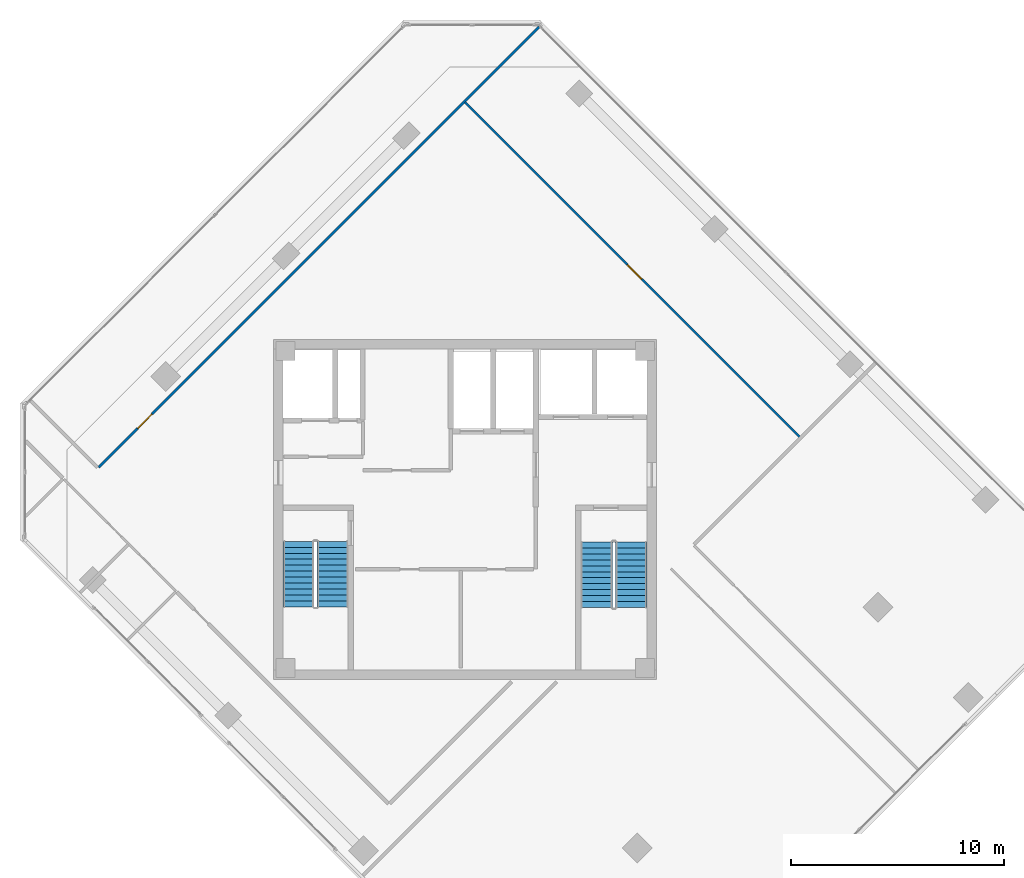
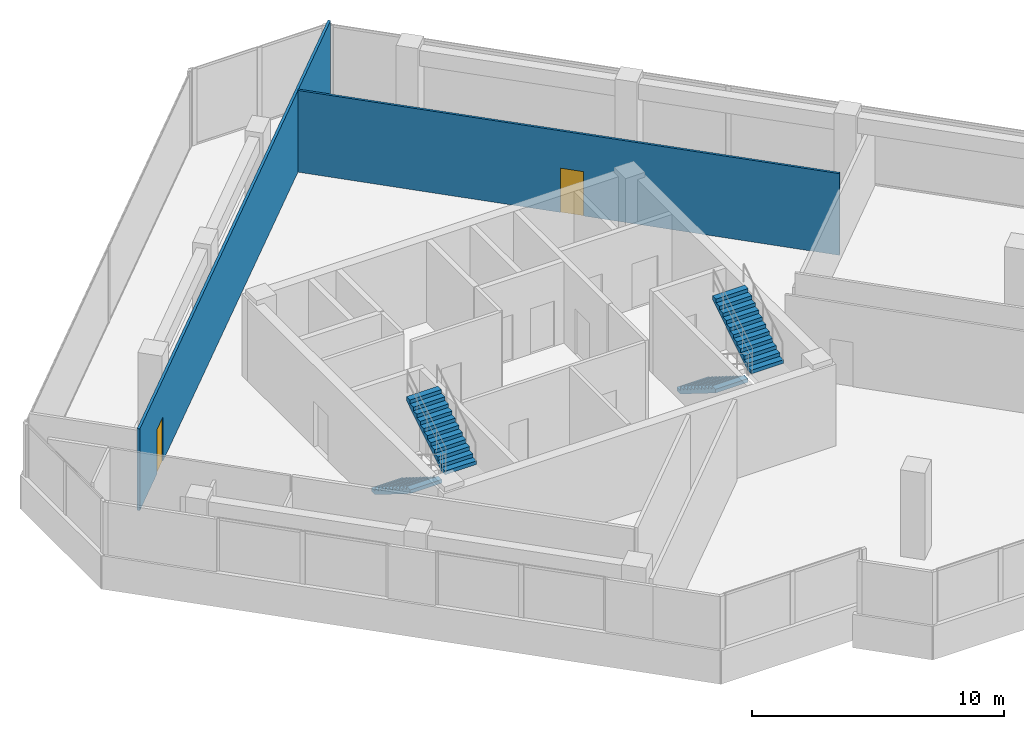
# One storey, part 15 of 18: 4 stair flights, 2 doors, 2 walls, 2 openings, 2 elements without a shape of their own.
"""IFC4 building model written with IfcOpenShell, lengths in metres."""

from ifc_helpers import new_model, si_unit, direction, frame, frame_2d, origin, place, context, subcontext, project, spatial, polyline, rectangle, outline, extrude, source, transform, mapped, material, layer, layer_set, type_object, element, fill, aggregate, save


model = new_model("IFC4")

# Units and contexts
model_context = context("Model", 3, precision=1e-05, world=origin(), true_north=direction((0.0, 1.0)))
body_context = subcontext(model_context, "Body", "Model", "MODEL_VIEW")
ifc_project = project(units=[si_unit("LENGTHUNIT", "METRE"), si_unit("AREAUNIT", "SQUARE_METRE"), si_unit("VOLUMEUNIT", "CUBIC_METRE"), si_unit("PLANEANGLEUNIT", "RADIAN"), si_unit("MASSUNIT", "GRAM", prefix="KILO")], contexts=[model_context])

# Site, building, storey
site_placement = place(None, origin())
site = spatial("IfcSite", under=ifc_project, at=site_placement, CompositionType="ELEMENT")
building_placement = place(site_placement, origin())
building = spatial("IfcBuilding", under=site, at=building_placement, Name="Torre Montelarca", CompositionType="ELEMENT")
storey_placement = place(building_placement, frame((0.0, 0.0, 245.800048828125)))
storey = spatial("IfcBuildingStorey", under=building, at=storey_placement, Name="L55", CompositionType="ELEMENT", Elevation=245.800048828125)

# Wall, opening, door
ifc_material_1 = material(Name="Acoustic laminated glass partition", Category="glass")
ifc_layer_1 = layer(ifc_material_1, 0.10009765625, Name="Acoustic laminated glass partition", Category="glass")
ifc_layer_set_1 = layer_set([ifc_layer_1], Name="Acoustic laminated glass partition")
wall_type_1 = type_object("IfcWallType", Name="PW-GLAZ-100", PredefinedType="PARTITIONING", material=ifc_layer_set_1)
wall_1_placement = place(storey_placement, frame((17.992919921875, 51.13427734375, 0.0), z_axis=(0.0, 0.0, 1.0), x_axis=(0.707106781187, -0.707106781187, 0.0)))
wall_1 = element("IfcWall", 1, at=wall_1_placement, inside=storey, type_object=wall_type_1, Name="L55 Interior Partition W-L55-NBOT", PredefinedType="PARTITIONING", context=body_context, shape_type="SweptSolid", body=[
    extrude(rectangle(XDim=22.269775390625, YDim=0.10009765625, at=frame_2d((11.134765625, 0.0))), origin(), (0.0, 0.0, 1.0), 3.9599609375),
])
opening_1_placement = place(wall_1_placement, frame((10.800048828125, 0.0, 0.0)))
opening_1 = element("IfcOpeningElement", 2, at=opening_1_placement, cuts=wall_1, Name="Opening ID-095", PredefinedType="OPENING", context=body_context, shape_type="SweptSolid", body=[
    extrude(rectangle(XDim=0.949951171875, YDim=2.14990234375, at=frame_2d((0.47509765625, 1.074951171875))), frame((0.0, 0.06005859375, 0.0), z_axis=(0.0, -1.0, 0.0), x_axis=(1.0, 0.0, 0.0)), (0.0, 0.0, 1.0), 0.1201171875),
])
ifc_material_2 = material(Name="Hardwood acoustic timber veneer", Category="wood")
door_type = type_object("IfcDoorType", Name="DR-INT-095", OperationType="NOTDEFINED", PredefinedType="DOOR", material=ifc_material_2)
shared_shape = source(origin(), body_context, "Body", "SweptSolid", [
    extrude(rectangle(XDim=0.949951171875, YDim=2.14990234375, at=frame_2d((0.47509765625, 1.074951171875))), frame((0.0, 0.02490234375, 0.0), z_axis=(0.0, -1.0, 0.0), x_axis=(1.0, 0.0, 0.0)), (0.0, 0.0, 1.0), 0.050048828125),
])
door_1_placement = place(opening_1_placement, origin())
door_1 = element("IfcDoor", 3, at=door_1_placement, inside=storey, type_object=door_type, Name="L55 Interior Door 08", OperationType="SINGLE_SWING_LEFT", OverallHeight=2.14990234375, OverallWidth=0.949951171875, PredefinedType="DOOR", context=body_context, shape_type="MappedRepresentation", body=[
    mapped(shared_shape, transform((0.0, 0.0, 0.0), scale=1.0)),
])
fill(opening_1, door_1)

ifc_material_3 = material(Name="Gypsum plasterboard on steel stud", Category="steel")
ifc_layer_2 = layer(ifc_material_3, 0.114990234375, Name="Gypsum plasterboard on steel stud", Category="steel")
ifc_layer_set_2 = layer_set([ifc_layer_2], Name="Gypsum plasterboard on steel stud")
wall_type_2 = type_object("IfcWallType", Name="PW-PART-115", PredefinedType="PARTITIONING", material=ifc_layer_set_2)
wall_2_placement = place(storey_placement, frame((0.774658203125, 33.972900390625, 0.0), z_axis=(0.0, 0.0, 1.0), x_axis=(0.707106781187, 0.707106781187, 0.0)))
wall_2 = element("IfcWall", 4, at=wall_2_placement, inside=storey, type_object=wall_type_2, Name="L55 Interior Partition W-L55-WWGE", PredefinedType="PARTITIONING", context=body_context, shape_type="SweptSolid", body=[
    extrude(rectangle(XDim=29.280029296875, YDim=0.114990234375, at=frame_2d((14.64013671875, 0.0))), origin(), (0.0, 0.0, 1.0), 3.9599609375),
])
opening_2_placement = place(wall_2_placement, frame((2.60009765625, 0.0, 0.0)))
opening_2 = element("IfcOpeningElement", 5, at=opening_2_placement, cuts=wall_2, Name="Opening ID-095", PredefinedType="OPENING", context=body_context, shape_type="SweptSolid", body=[
    extrude(rectangle(XDim=0.949951171875, YDim=2.14990234375, at=frame_2d((0.47509765625, 1.074951171875))), frame((0.0, 0.0673828125, 0.0), z_axis=(0.0, -1.0, 0.0), x_axis=(1.0, 0.0, 0.0)), (0.0, 0.0, 1.0), 0.135009765625),
])
door_2_placement = place(opening_2_placement, origin())
door_2 = element("IfcDoor", 6, at=door_2_placement, inside=storey, type_object=door_type, Name="L55 Interior Door 09", OperationType="SINGLE_SWING_LEFT", OverallHeight=2.14990234375, OverallWidth=0.949951171875, PredefinedType="DOOR", context=body_context, shape_type="MappedRepresentation", body=[
    mapped(shared_shape, transform((0.0, 0.0, 0.0), scale=1.0)),
])
fill(opening_2, door_2)

# Stair, stair flights
ifc_material_4 = material(Name="Concrete C40/50", Category="concrete")
stair_type_1 = type_object("IfcStairType", Name="ST-CORE-ST1", PredefinedType="HALF_TURN_STAIR", material=ifc_material_4)
stair_1_placement = place(storey_placement, origin())
stair_1 = element("IfcStair", 7, at=stair_1_placement, inside=storey, type_object=stair_type_1, Name="L55 Protected Exit Stair ST1", PredefinedType="HALF_TURN_STAIR")
stair_flight_type_1 = type_object("IfcStairFlightType", Name="SFL-CORE-ST1", PredefinedType="STRAIGHT", material=ifc_material_4)
stair_flight_1_placement = place(storey_placement, frame((10.175048828125, 30.5, 0.0), z_axis=(0.0, 0.0, 1.0), x_axis=(0.0, -1.0, 0.0)))
stair_flight_1 = element("IfcStairFlight", 8, at=stair_flight_1_placement, type_object=stair_flight_type_1, Name="ST1 flight 1", NumberOfRisers=12, NumberOfTreads=11, PredefinedType="STRAIGHT", RiserHeight=0.175, TreadLength=0.28, context=body_context, shape_type="SweptSolid", body=[
    extrude(outline(polyline([(0.0, 0.0), (0.0, 0.175048828125), (0.280029296875, 0.175048828125), (0.280029296875, 0.35009765625), (0.56005859375, 0.35009765625), (0.56005859375, 0.52490234375), (0.840087890625, 0.52490234375), (0.840087890625, 0.699951171875), (1.1201171875, 0.699951171875), (1.1201171875, 0.875), (1.39990234375, 0.875), (1.39990234375, 1.050048828125), (1.679931640625, 1.050048828125), (1.679931640625, 1.22509765625), (1.9599609375, 1.22509765625), (1.9599609375, 1.39990234375), (2.239990234375, 1.39990234375), (2.239990234375, 1.574951171875), (2.52001953125, 1.574951171875), (2.52001953125, 1.75), (2.800048828125, 1.75), (2.800048828125, 1.925048828125), (3.080078125, 1.925048828125), (3.080078125, 2.10009765625), (3.080078125, 1.748291015625), (0.28271484375, 0.0), (0.0, 0.0)])), frame((0.0, 0.72509765625, 0.0), z_axis=(0.0, -1.0, 0.0), x_axis=(1.0, 0.0, 0.0)), (0.0, 0.0, 1.0), 1.449951171875),
])
stair_flight_2_placement = place(storey_placement, frame((11.77490234375, 27.419921875, 2.099853515625), z_axis=(0.0, 0.0, 1.0), x_axis=(0.0, 1.0, 0.0)))
stair_flight_2 = element("IfcStairFlight", 9, at=stair_flight_2_placement, type_object=stair_flight_type_1, Name="ST1 flight 2", NumberOfRisers=12, NumberOfTreads=11, PredefinedType="STRAIGHT", RiserHeight=0.175, TreadLength=0.28, context=body_context, shape_type="SweptSolid", body=[
    extrude(outline(polyline([(0.0, 0.0), (0.0, 0.175048828125), (0.280029296875, 0.175048828125), (0.280029296875, 0.35009765625), (0.56005859375, 0.35009765625), (0.56005859375, 0.52490234375), (0.840087890625, 0.52490234375), (0.840087890625, 0.699951171875), (1.1201171875, 0.699951171875), (1.1201171875, 0.875), (1.39990234375, 0.875), (1.39990234375, 1.050048828125), (1.679931640625, 1.050048828125), (1.679931640625, 1.22509765625), (1.9599609375, 1.22509765625), (1.9599609375, 1.39990234375), (2.239990234375, 1.39990234375), (2.239990234375, 1.574951171875), (2.52001953125, 1.574951171875), (2.52001953125, 1.75), (2.800048828125, 1.75), (2.800048828125, 1.925048828125), (3.080078125, 1.925048828125), (3.080078125, 2.10009765625), (3.080078125, 1.748291015625), (0.28271484375, 0.0), (0.0, 0.0)])), frame((0.0, 0.72509765625, 0.0), z_axis=(0.0, -1.0, 0.0), x_axis=(1.0, 0.0, 0.0)), (0.0, 0.0, 1.0), 1.449951171875),
])
aggregate(stair_1, [stair_flight_1, stair_flight_2])

stair_type_2 = type_object("IfcStairType", Name="ST-CORE-ST2", PredefinedType="HALF_TURN_STAIR", material=ifc_material_4)
stair_2_placement = place(storey_placement, origin())
stair_2 = element("IfcStair", 10, at=stair_2_placement, inside=storey, type_object=stair_type_2, Name="L55 Protected Exit Stair ST2", PredefinedType="HALF_TURN_STAIR")
stair_flight_type_2 = type_object("IfcStairFlightType", Name="SFL-CORE-ST2", PredefinedType="STRAIGHT", material=ifc_material_4)
stair_flight_3_placement = place(storey_placement, frame((24.179931640625, 30.469970703125, 0.0), z_axis=(0.0, 0.0, 1.0), x_axis=(0.0, -1.0, 0.0)))
stair_flight_3 = element("IfcStairFlight", 11, at=stair_flight_3_placement, type_object=stair_flight_type_2, Name="ST2 flight 1", NumberOfRisers=12, NumberOfTreads=11, PredefinedType="STRAIGHT", RiserHeight=0.175, TreadLength=0.28, context=body_context, shape_type="SweptSolid", body=[
    extrude(outline(polyline([(0.0, 0.0), (0.0, 0.175048828125), (0.280029296875, 0.175048828125), (0.280029296875, 0.35009765625), (0.56005859375, 0.35009765625), (0.56005859375, 0.52490234375), (0.840087890625, 0.52490234375), (0.840087890625, 0.699951171875), (1.1201171875, 0.699951171875), (1.1201171875, 0.875), (1.39990234375, 0.875), (1.39990234375, 1.050048828125), (1.679931640625, 1.050048828125), (1.679931640625, 1.22509765625), (1.9599609375, 1.22509765625), (1.9599609375, 1.39990234375), (2.239990234375, 1.39990234375), (2.239990234375, 1.574951171875), (2.52001953125, 1.574951171875), (2.52001953125, 1.75), (2.800048828125, 1.75), (2.800048828125, 1.925048828125), (3.080078125, 1.925048828125), (3.080078125, 2.10009765625), (3.080078125, 1.748291015625), (0.28271484375, 0.0), (0.0, 0.0)])), frame((0.0, 0.739990234375, 0.0), z_axis=(0.0, -1.0, 0.0), x_axis=(1.0, 0.0, 0.0)), (0.0, 0.0, 1.0), 1.47998046875),
])
stair_flight_4_placement = place(storey_placement, frame((25.81005859375, 27.389892578125, 2.099853515625), z_axis=(0.0, 0.0, 1.0), x_axis=(0.0, 1.0, 0.0)))
stair_flight_4 = element("IfcStairFlight", 12, at=stair_flight_4_placement, type_object=stair_flight_type_2, Name="ST2 flight 2", NumberOfRisers=12, NumberOfTreads=11, PredefinedType="STRAIGHT", RiserHeight=0.175, TreadLength=0.28, context=body_context, shape_type="SweptSolid", body=[
    extrude(outline(polyline([(0.0, 0.0), (0.0, 0.175048828125), (0.280029296875, 0.175048828125), (0.280029296875, 0.35009765625), (0.56005859375, 0.35009765625), (0.56005859375, 0.52490234375), (0.840087890625, 0.52490234375), (0.840087890625, 0.699951171875), (1.1201171875, 0.699951171875), (1.1201171875, 0.875), (1.39990234375, 0.875), (1.39990234375, 1.050048828125), (1.679931640625, 1.050048828125), (1.679931640625, 1.22509765625), (1.9599609375, 1.22509765625), (1.9599609375, 1.39990234375), (2.239990234375, 1.39990234375), (2.239990234375, 1.574951171875), (2.52001953125, 1.574951171875), (2.52001953125, 1.75), (2.800048828125, 1.75), (2.800048828125, 1.925048828125), (3.080078125, 1.925048828125), (3.080078125, 2.10009765625), (3.080078125, 1.748291015625), (0.28271484375, 0.0), (0.0, 0.0)])), frame((0.0, 0.739990234375, 0.0), z_axis=(0.0, -1.0, 0.0), x_axis=(1.0, 0.0, 0.0)), (0.0, 0.0, 1.0), 1.47998046875),
])
aggregate(stair_2, [stair_flight_3, stair_flight_4])

save(model, "model.ifc")
